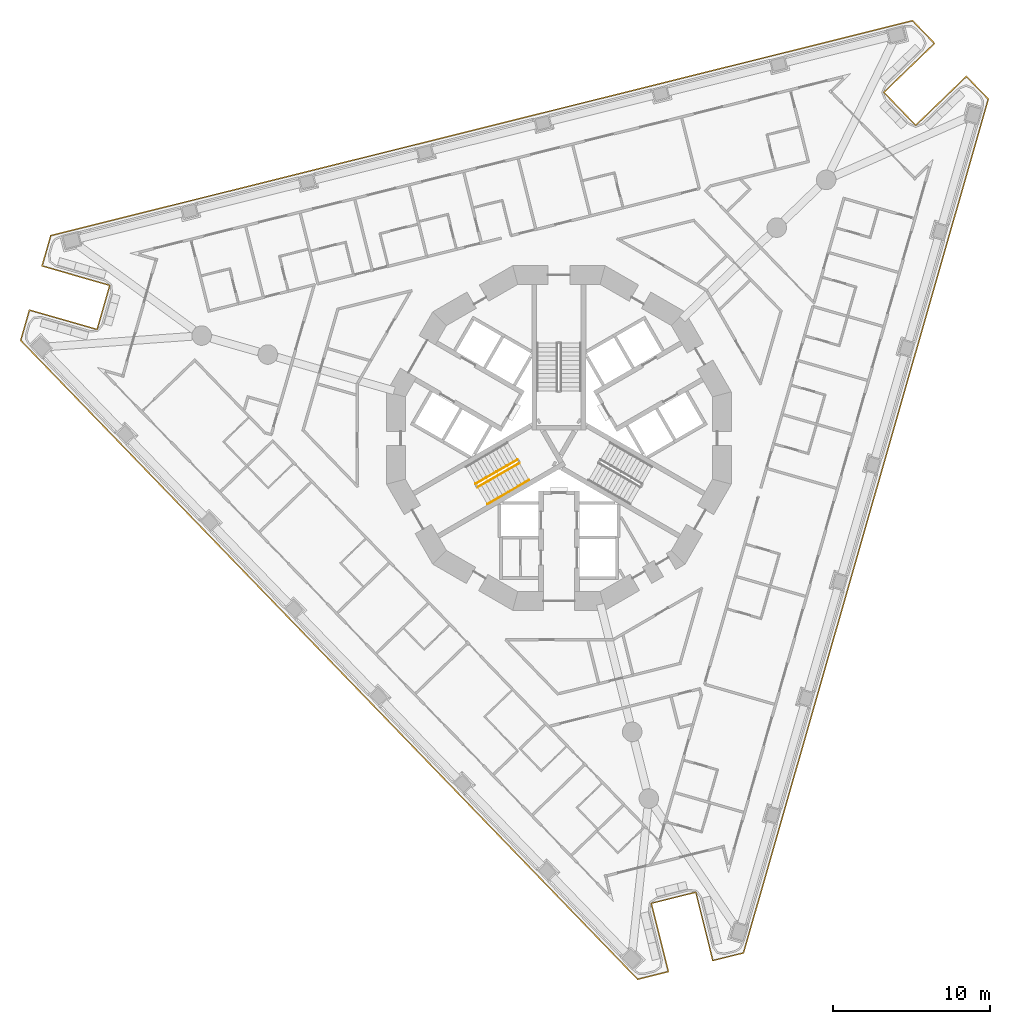
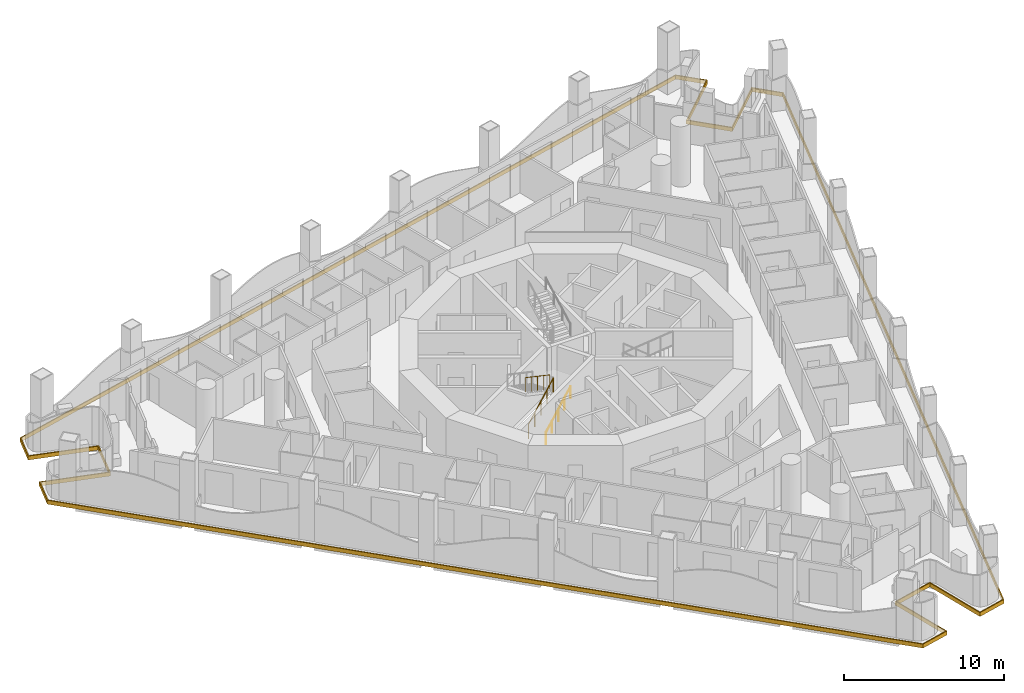
# One storey, part 14 of 20: 4 railings, 1 covering.
"""IFC4 building model written with IfcOpenShell, lengths in metres."""

from ifc_helpers import new_model, si_unit, direction, frame, origin, origin_2d, place, context, subcontext, project, spatial, polyline, circle, outline, extrude, material, layer, layer_set, type_object, element, save


model = new_model("IFC4")

# Units and contexts
model_context = context("Model", 3, precision=1e-05, world=origin(), true_north=direction((0.0, 1.0)))
body_context = subcontext(model_context, "Body", "Model", "MODEL_VIEW")
ifc_project = project(units=[si_unit("LENGTHUNIT", "METRE"), si_unit("AREAUNIT", "SQUARE_METRE"), si_unit("VOLUMEUNIT", "CUBIC_METRE"), si_unit("PLANEANGLEUNIT", "RADIAN"), si_unit("MASSUNIT", "GRAM", prefix="KILO")], contexts=[model_context])

# Site, building, storey
site_placement = place(None, origin())
site = spatial("IfcSite", under=ifc_project, at=site_placement, CompositionType="ELEMENT")
building_placement = place(site_placement, origin())
building = spatial("IfcBuilding", under=site, at=building_placement, Name="Trine Commons Tower", CompositionType="ELEMENT")
storey_placement = place(building_placement, frame((0.0, 0.0, 116.10009765625)))
storey = spatial("IfcBuildingStorey", under=building, at=storey_placement, Name="L29", CompositionType="ELEMENT", Elevation=116.10009765625)

# Covering
ifc_material_1 = material(Name="Limestone, honed", Category="masonry")
ifc_layer = layer(ifc_material_1, 0.074951171875)
ifc_layer_set = layer_set([ifc_layer], Name="Limestone, honed")
covering_type = type_object("IfcCoveringType", Name="Limestone spandrel panel 75", PredefinedType="CLADDING", material=ifc_layer_set)
covering_placement = place(storey_placement, frame((0.0, 0.0, -0.300048828125)))
element("IfcCovering", 1, at=covering_placement, inside=storey, type_object=covering_type, Name="Limestone spandrel panel 3-01", PredefinedType="CLADDING", context=body_context, shape_type="SweptSolid", body=[
    extrude(outline(polyline([(88.716064453125, 33.432373046875), (89.8046875, 29.06591796875), (91.8251953125, 29.56982421875), (107.478759765625, 84.159912109375), (106.031982421875, 85.657958984375), (102.795166015625, 82.531982421875), (100.815185546875, 84.58203125), (104.052490234375, 87.7080078125), (102.605712890625, 89.2060546875), (47.50244140625, 75.46728515625), (46.928466796875, 73.465576171875), (51.254150390625, 72.22509765625), (50.468505859375, 69.485595703125), (46.14306640625, 70.725830078125), (45.569091796875, 68.72412109375), (85.018798828125, 27.872802734375), (87.039306640625, 28.37646484375), (85.95068359375, 32.742919921875), (88.716064453125, 33.432373046875)]), holes=[polyline([(106.0302734375, 85.552001953125), (107.394775390625, 84.13916015625), (91.764892578125, 29.632080078125), (89.859375, 29.156982421875), (88.7705078125, 33.523193359375), (85.85986328125, 32.797607421875), (86.948486328125, 28.43115234375), (85.04248046875, 27.9560546875), (45.653076171875, 68.7451171875), (46.1943359375, 70.63330078125), (50.52001953125, 69.392822265625), (51.346923828125, 72.276611328125), (47.021240234375, 73.516845703125), (47.562744140625, 75.405029296875), (102.581787109375, 89.122802734375), (103.9462890625, 87.7099609375), (100.709228515625, 84.583984375), (102.793212890625, 82.426025390625), (106.0302734375, 85.552001953125)])]), origin(), (0.0, 0.0, 1.0), 0.300048828125),
])

# Railings
ifc_material_2 = material(Name="Stainless steel balustrade", Category="steel")
railing_type_1 = type_object("IfcRailingType", Name="Stair guard, steel balustrade 1100", PredefinedType="GUARDRAIL", material=ifc_material_2)
railing_1_placement = place(storey_placement, frame((74.80517578125, 59.3564453125, 0.14990234375)))
element("IfcRailing", 2, at=railing_1_placement, inside=storey, type_object=railing_type_1, Name="L29 ST2A stair guard 1", PredefinedType="GUARDRAIL", context=body_context, shape_type="SweptSolid", body=[
    extrude(circle(Radius=0.02392578125, at=origin_2d()), frame((0.0, 0.0, 1.076171875), z_axis=(0.76340495495, 0.440743040072, 0.472184759798), x_axis=(-0.499992328818, 0.866029832698, 0.0)), (0.0, 0.0, 1.0), 3.494140625),
    extrude(circle(Radius=0.02099609375, at=origin_2d()), origin(), (0.0, 0.0, 1.0), 1.052001953125),
    extrude(circle(Radius=0.02099609375, at=origin_2d()), frame((0.6669921875, 0.385009765625, 0.41259765625)), (0.0, 0.0, 1.0), 1.052001953125),
    extrude(circle(Radius=0.02099609375, at=origin_2d()), frame((1.333740234375, 0.77001953125, 0.824951171875)), (0.0, 0.0, 1.0), 1.052001953125),
    extrude(circle(Radius=0.02099609375, at=origin_2d()), frame((2.00048828125, 1.155029296875, 1.2373046875)), (0.0, 0.0, 1.0), 1.052001953125),
    extrude(circle(Radius=0.02099609375, at=origin_2d()), frame((2.66748046875, 1.5400390625, 1.64990234375)), (0.0, 0.0, 1.0), 1.052001953125),
])
railing_2_placement = place(storey_placement, frame((77.34765625, 61.113037109375, 1.949951171875)))
element("IfcRailing", 3, at=railing_2_placement, inside=storey, type_object=railing_type_1, Name="L29 ST2A stair guard 3", PredefinedType="GUARDRAIL", context=body_context, shape_type="SweptSolid", body=[
    extrude(circle(Radius=0.02392578125, at=origin_2d()), frame((0.0, 0.0, 1.076171875), z_axis=(-0.76340495495, -0.440743040072, 0.472184759798), x_axis=(0.499992328818, -0.866029832698, 0.0)), (0.0, 0.0, 1.0), 3.494140625),
    extrude(circle(Radius=0.02099609375, at=origin_2d()), origin(), (0.0, 0.0, 1.0), 1.052001953125),
    extrude(circle(Radius=0.02099609375, at=origin_2d()), frame((-0.6669921875, -0.385009765625, 0.41259765625)), (0.0, 0.0, 1.0), 1.052001953125),
    extrude(circle(Radius=0.02099609375, at=origin_2d()), frame((-1.333740234375, -0.77001953125, 0.824951171875)), (0.0, 0.0, 1.0), 1.052001953125),
    extrude(circle(Radius=0.02099609375, at=origin_2d()), frame((-2.00048828125, -1.155029296875, 1.2373046875)), (0.0, 0.0, 1.0), 1.052001953125),
    extrude(circle(Radius=0.02099609375, at=origin_2d()), frame((-2.66748046875, -1.5400390625, 1.64990234375)), (0.0, 0.0, 1.0), 1.052001953125),
])
ifc_material_3 = material(Name="Stainless steel handrail", Category="steel")
railing_type_2 = type_object("IfcRailingType", Name="Stair handrail, steel 900", PredefinedType="HANDRAIL", material=ifc_material_3)
for number, where, name in (
    (4, (75.43017578125, 58.27392578125, 0.14990234375), "L29 ST2A stair handrail 1"),
    (5, (76.763916015625, 59.0439453125, 0.974853515625), "L29 ST2A stair handrail 2"),
):
    element("IfcRailing", number, at=place(storey_placement, frame(where)), inside=storey, type_object=railing_type_2, Name=name, PredefinedType="HANDRAIL", context=body_context, shape_type="SweptSolid", body=[
        extrude(circle(Radius=0.02099609375, at=origin_2d()), frame((0.0, 0.0, 0.87890625), z_axis=(0.76340495495, 0.440743040072, 0.472184759798), x_axis=(-0.499992328818, 0.866029832698, 0.0)), (0.0, 0.0, 1.0), 1.7470703125),
        extrude(circle(Radius=0.01513671875, at=origin_2d()), origin(), (0.0, 0.0, 1.0), 0.85791015625),
        extrude(circle(Radius=0.01513671875, at=origin_2d()), frame((0.6669921875, 0.385009765625, 0.41259765625)), (0.0, 0.0, 1.0), 0.85791015625),
        extrude(circle(Radius=0.01513671875, at=origin_2d()), frame((1.333740234375, 0.77001953125, 0.824951171875)), (0.0, 0.0, 1.0), 0.85791015625),
    ])

save(model, "model.ifc")
